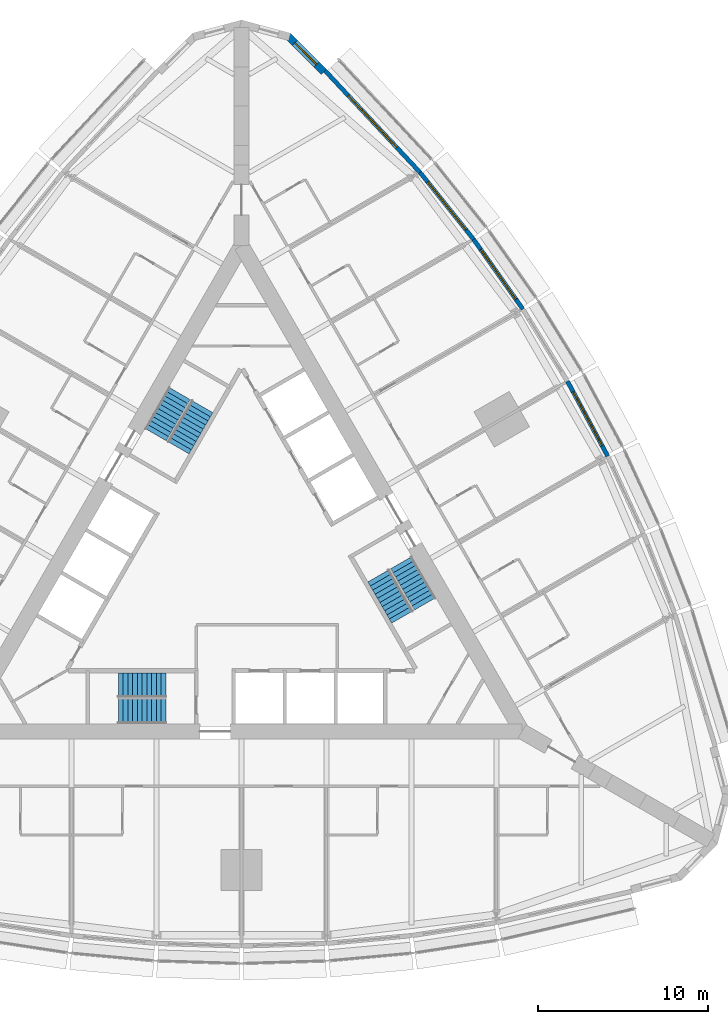
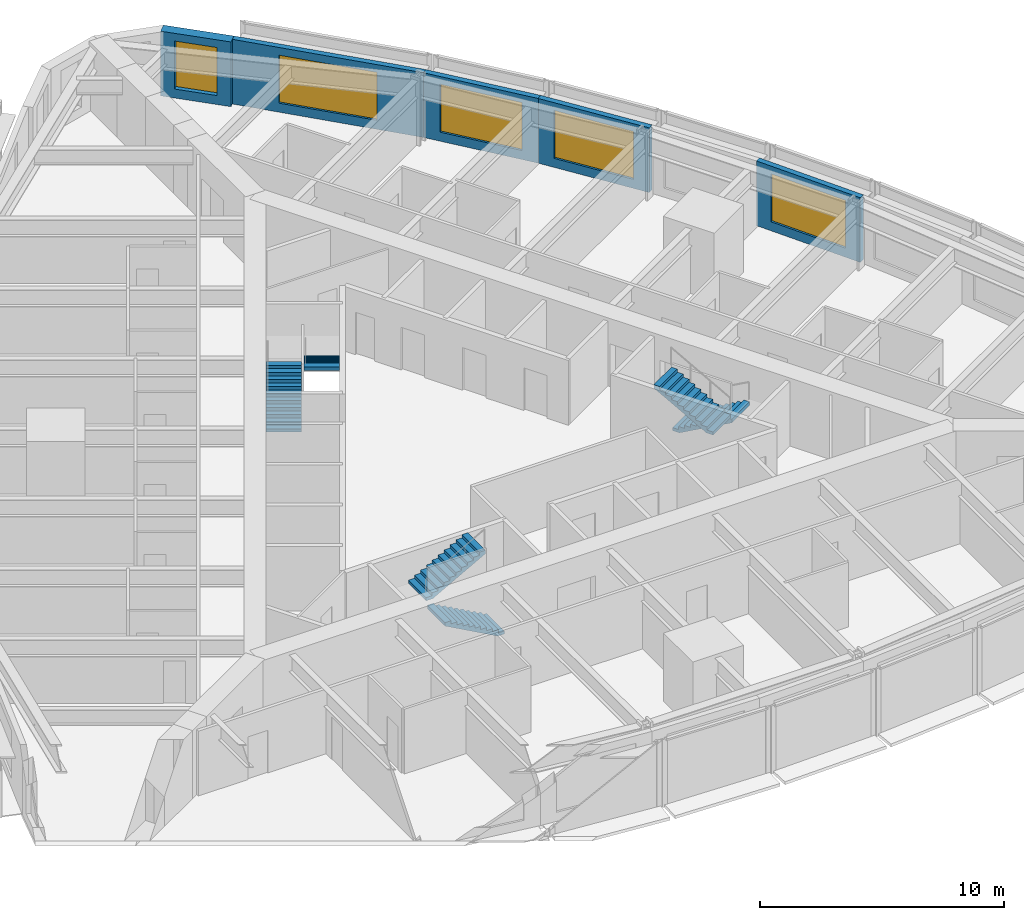
# One storey, part 13 of 14: 6 stair flights, 5 walls, 5 windows, 5 openings, 3 elements without a shape of their own.
"""IFC4 building model written with IfcOpenShell, lengths in metres."""

from ifc_helpers import new_model, si_unit, direction, frame, frame_2d, origin, place, context, subcontext, project, spatial, polyline, rectangle, outline, extrude, material, layer, layer_set, type_object, element, fill, aggregate, save


model = new_model("IFC4")

# Units and contexts
model_context = context("Model", 3, precision=1e-05, world=origin(), true_north=direction((0.0, 1.0)))
body_context = subcontext(model_context, "Body", "Model", "MODEL_VIEW")
ifc_project = project(units=[si_unit("LENGTHUNIT", "METRE"), si_unit("AREAUNIT", "SQUARE_METRE"), si_unit("VOLUMEUNIT", "CUBIC_METRE"), si_unit("PLANEANGLEUNIT", "RADIAN"), si_unit("MASSUNIT", "GRAM", prefix="KILO")], contexts=[model_context])

# Site, building, storey
site_placement = place(None, origin())
site = spatial("IfcSite", under=ifc_project, at=site_placement, CompositionType="ELEMENT")
building_placement = place(site_placement, origin())
building = spatial("IfcBuilding", under=site, at=building_placement, Name="Trikona Tower", CompositionType="ELEMENT")
storey_placement = place(building_placement, frame((0.0, 0.0, 48.89990234375)))
storey = spatial("IfcBuildingStorey", under=building, at=storey_placement, Name="L11", CompositionType="ELEMENT", Elevation=48.89990234375)

# Wall, opening, window
ifc_material_1 = material(Name="Brick-faced precast concrete", Category="masonry")
ifc_layer_1 = layer(ifc_material_1, 0.449951171875)
ifc_layer_set_1 = layer_set([ifc_layer_1], Name="Brick-faced corner wall 450")
wall_type_1 = type_object("IfcWallType", Name="Brick-faced corner wall 450", PredefinedType="SOLIDWALL", material=ifc_layer_set_1)
wall_1_placement = place(storey_placement, frame((4.8408203125, 29.285888671875, 0.0), z_axis=(0.0, 0.0, 1.0), x_axis=(-0.707106781187, 0.707106781187, 0.0)))
wall_1 = element("IfcWall", 1, at=wall_1_placement, inside=storey, type_object=wall_type_1, Name="External wall L11-20", PredefinedType="SOLIDWALL", context=body_context, shape_type="SweptSolid", body=[
    extrude(rectangle(XDim=2.98828125, YDim=0.449951171875, at=frame_2d((1.494140625, 0.0))), origin(), (0.0, 0.0, 1.0), 3.235107421875),
])
opening_1_placement = place(wall_1_placement, frame((0.59423828125, 0.0, 0.449951171875)))
opening_1 = element("IfcOpeningElement", 2, at=opening_1_placement, cuts=wall_1, Name="Opening W1824", PredefinedType="OPENING", context=body_context, shape_type="SweptSolid", body=[
    extrude(rectangle(XDim=1.800048828125, YDim=2.39990234375, at=frame_2d((0.89990234375, 1.199951171875))), frame((0.0, 0.23486328125, 0.0), z_axis=(0.0, -1.0, 0.0), x_axis=(1.0, 0.0, 0.0)), (0.0, 0.0, 1.0), 0.469970703125),
])
ifc_material_2 = material(Name="Aluminium-framed double glazing", Category="aluminium")
window_type_1 = type_object("IfcWindowType", Name="Window 1800x2400", PartitioningType="SINGLE_PANEL", PredefinedType="WINDOW", material=ifc_material_2)
window_1_placement = place(opening_1_placement, origin())
window_1 = element("IfcWindow", 3, at=window_1_placement, inside=storey, type_object=window_type_1, Name="Window 1110", OverallHeight=2.39990234375, OverallWidth=1.800048828125, PartitioningType="SINGLE_PANEL", PredefinedType="WINDOW", context=body_context, shape_type="SweptSolid", body=[
    extrude(rectangle(XDim=1.800048828125, YDim=2.39990234375, at=frame_2d((0.89990234375, 1.199951171875))), frame((0.0, 0.030029296875, 0.0), z_axis=(0.0, -1.0, 0.0), x_axis=(1.0, 0.0, 0.0)), (0.0, 0.0, 1.0), 0.06005859375),
])
fill(opening_1, window_1)

ifc_material_3 = material(Name="Insulated precast concrete spandrel panel", Category="concrete")
ifc_layer_2 = layer(ifc_material_3, 0.25)
ifc_layer_set_2 = layer_set([ifc_layer_2], Name="Inner skin wall 250")
wall_type_2 = type_object("IfcWallType", Name="Inner skin wall 250", PredefinedType="STANDARD", material=ifc_layer_set_2)
wall_2_placement = place(storey_placement, frame((21.546630859375, 6.6708984375, 0.0), z_axis=(0.0, 0.0, 1.0), x_axis=(-0.473412820489, 0.880840678782, 0.0)))
wall_2 = element("IfcWall", 4, at=wall_2_placement, inside=storey, type_object=wall_type_2, Name="External wall L11-15", PredefinedType="STANDARD", context=body_context, shape_type="SweptSolid", body=[
    extrude(rectangle(XDim=5.00244140625, YDim=0.25, at=frame_2d((2.501220703125, 0.0))), origin(), (0.0, 0.0, 1.0), 3.235107421875),
])
opening_2_placement = place(wall_2_placement, frame((0.701171875, 0.0, 0.449951171875)))
opening_2 = element("IfcOpeningElement", 5, at=opening_2_placement, cuts=wall_2, Name="Opening W3624", PredefinedType="OPENING", context=body_context, shape_type="SweptSolid", body=[
    extrude(rectangle(XDim=3.60009765625, YDim=2.39990234375, at=frame_2d((1.800048828125, 1.199951171875))), frame((0.0, 0.135009765625, 0.0), z_axis=(0.0, -1.0, 0.0), x_axis=(1.0, 0.0, 0.0)), (0.0, 0.0, 1.0), 0.27001953125),
])
ifc_material_4 = material(Name="Aluminium-framed double glazing", Category="aluminium")
window_type_2 = type_object("IfcWindowType", Name="Window 3600x2400", PartitioningType="SINGLE_PANEL", PredefinedType="WINDOW", material=ifc_material_4)
window_2_placement = place(opening_2_placement, origin())
window_2 = element("IfcWindow", 6, at=window_2_placement, inside=storey, type_object=window_type_2, Name="Window 1107", OverallHeight=2.39990234375, OverallWidth=3.60009765625, PartitioningType="SINGLE_PANEL", PredefinedType="WINDOW", context=body_context, shape_type="SweptSolid", body=[
    extrude(rectangle(XDim=3.60009765625, YDim=2.39990234375, at=frame_2d((1.800048828125, 1.199951171875))), frame((0.0, 0.030029296875, 0.0), z_axis=(0.0, -1.0, 0.0), x_axis=(1.0, 0.0, 0.0)), (0.0, 0.0, 1.0), 0.06005859375),
])
fill(opening_2, window_2)

wall_3_placement = place(storey_placement, frame((16.5546875, 15.318115234375, 0.0), z_axis=(0.0, 0.0, 1.0), x_axis=(-0.5766431066, 0.81699616132, 0.0)))
wall_3 = element("IfcWall", 7, at=wall_3_placement, inside=storey, type_object=wall_type_2, Name="External wall L11-17", PredefinedType="STANDARD", context=body_context, shape_type="SweptSolid", body=[
    extrude(rectangle(XDim=5.02099609375, YDim=0.25, at=frame_2d((2.510498046875, 0.0))), origin(), (0.0, 0.0, 1.0), 3.235107421875),
])
opening_3_placement = place(wall_3_placement, frame((0.71044921875, 0.0, 0.449951171875)))
opening_3 = element("IfcOpeningElement", 8, at=opening_3_placement, cuts=wall_3, Name="Opening W3624", PredefinedType="OPENING", context=body_context, shape_type="SweptSolid", body=[
    extrude(rectangle(XDim=3.60009765625, YDim=2.39990234375, at=frame_2d((1.800048828125, 1.199951171875))), frame((0.0, 0.135009765625, 0.0), z_axis=(0.0, -1.0, 0.0), x_axis=(1.0, 0.0, 0.0)), (0.0, 0.0, 1.0), 0.27001953125),
])
window_3_placement = place(opening_3_placement, origin())
window_3 = element("IfcWindow", 9, at=window_3_placement, inside=storey, type_object=window_type_2, Name="Window 1108.1", OverallHeight=2.39990234375, OverallWidth=3.60009765625, PartitioningType="SINGLE_PANEL", PredefinedType="WINDOW", context=body_context, shape_type="SweptSolid", body=[
    extrude(rectangle(XDim=3.60009765625, YDim=2.39990234375, at=frame_2d((1.800048828125, 1.199951171875))), frame((0.0, 0.030029296875, 0.0), z_axis=(0.0, -1.0, 0.0), x_axis=(1.0, 0.0, 0.0)), (0.0, 0.0, 1.0), 0.06005859375),
])
fill(opening_3, window_3)

wall_4_placement = place(storey_placement, frame((13.663818359375, 19.4140625, 0.0), z_axis=(0.0, 0.0, 1.0), x_axis=(-0.624594965756, 0.780948864364, 0.0)))
wall_4 = element("IfcWall", 10, at=wall_4_placement, inside=storey, type_object=wall_type_2, Name="External wall L11-18", PredefinedType="STANDARD", context=body_context, shape_type="SweptSolid", body=[
    extrude(rectangle(XDim=5.0576171875, YDim=0.25, at=frame_2d((2.52880859375, 0.0))), origin(), (0.0, 0.0, 1.0), 3.235107421875),
])
opening_4_placement = place(wall_4_placement, frame((0.728759765625, 0.0, 0.449951171875)))
opening_4 = element("IfcOpeningElement", 11, at=opening_4_placement, cuts=wall_4, Name="Opening W3624", PredefinedType="OPENING", context=body_context, shape_type="SweptSolid", body=[
    extrude(rectangle(XDim=3.60009765625, YDim=2.39990234375, at=frame_2d((1.800048828125, 1.199951171875))), frame((0.0, 0.135009765625, 0.0), z_axis=(0.0, -1.0, 0.0), x_axis=(1.0, 0.0, 0.0)), (0.0, 0.0, 1.0), 0.27001953125),
])
window_4_placement = place(opening_4_placement, origin())
window_4 = element("IfcWindow", 12, at=window_4_placement, inside=storey, type_object=window_type_2, Name="Window 1109", OverallHeight=2.39990234375, OverallWidth=3.60009765625, PartitioningType="SINGLE_PANEL", PredefinedType="WINDOW", context=body_context, shape_type="SweptSolid", body=[
    extrude(rectangle(XDim=3.60009765625, YDim=2.39990234375, at=frame_2d((1.800048828125, 1.199951171875))), frame((0.0, 0.030029296875, 0.0), z_axis=(0.0, -1.0, 0.0), x_axis=(1.0, 0.0, 0.0)), (0.0, 0.0, 1.0), 0.06005859375),
])
fill(opening_4, window_4)

wall_5_placement = place(storey_placement, frame((10.510986328125, 23.356689453125, 0.0), z_axis=(0.0, 0.0, 1.0), x_axis=(-0.682289646561, 0.731081964075, 0.0)))
wall_5 = element("IfcWall", 13, at=wall_5_placement, inside=storey, type_object=wall_type_2, Name="External wall L11-19", PredefinedType="STANDARD", context=body_context, shape_type="SweptSolid", body=[
    extrude(rectangle(XDim=8.2109375, YDim=0.25, at=frame_2d((4.10546875, 0.0))), origin(), (0.0, 0.0, 1.0), 3.235107421875),
])
opening_5_placement = place(wall_5_placement, frame((2.005615234375, 0.0, 0.449951171875)))
opening_5 = element("IfcOpeningElement", 14, at=opening_5_placement, cuts=wall_5, Name="Opening W4224", PredefinedType="OPENING", context=body_context, shape_type="SweptSolid", body=[
    extrude(rectangle(XDim=4.199951171875, YDim=2.39990234375, at=frame_2d((2.10009765625, 1.199951171875))), frame((0.0, 0.135009765625, 0.0), z_axis=(0.0, -1.0, 0.0), x_axis=(1.0, 0.0, 0.0)), (0.0, 0.0, 1.0), 0.27001953125),
])
ifc_material_5 = material(Name="Aluminium-framed double glazing", Category="aluminium")
window_type_3 = type_object("IfcWindowType", Name="Window 4200x2400", PartitioningType="SINGLE_PANEL", PredefinedType="WINDOW", material=ifc_material_5)
window_5_placement = place(opening_5_placement, origin())
window_5 = element("IfcWindow", 15, at=window_5_placement, inside=storey, type_object=window_type_3, Name="Window 1110", OverallHeight=2.39990234375, OverallWidth=4.199951171875, PartitioningType="SINGLE_PANEL", PredefinedType="WINDOW", context=body_context, shape_type="SweptSolid", body=[
    extrude(rectangle(XDim=4.199951171875, YDim=2.39990234375, at=frame_2d((2.10009765625, 1.199951171875))), frame((0.0, 0.030029296875, 0.0), z_axis=(0.0, -1.0, 0.0), x_axis=(1.0, 0.0, 0.0)), (0.0, 0.0, 1.0), 0.06005859375),
])
fill(opening_5, window_5)

# Stair, stair flights
ifc_material_6 = material(Name="Concrete f'c 5000 psi", Category="concrete")
stair_type = type_object("IfcStairType", Name="Core stair", PredefinedType="HALF_TURN_STAIR", material=ifc_material_6)
stair_1_placement = place(storey_placement, origin())
stair_1 = element("IfcStair", 16, at=stair_1_placement, inside=storey, type_object=stair_type, Name="Stair A L11", PredefinedType="HALF_TURN_STAIR")
ifc_material_7 = material(Name="Concrete f'c 5000 psi", Category="concrete")
stair_flight_type = type_object("IfcStairFlightType", Name="Core stair flight 1450", PredefinedType="STRAIGHT", material=ifc_material_7)
stair_flight_1_placement = place(storey_placement, frame((-4.449951171875, -8.351318359375, 0.0), z_axis=(0.0, 0.0, 1.0), x_axis=(-1.0, 0.0, 0.0)))
stair_flight_1 = element("IfcStairFlight", 17, at=stair_flight_1_placement, type_object=stair_flight_type, Name="ST-A flight 1", NumberOfRisers=11, NumberOfTreads=10, PredefinedType="STRAIGHT", RiserHeight=0.154545, TreadLength=0.28, context=body_context, shape_type="SweptSolid", body=[
    extrude(outline(polyline([(0.0, 0.0), (0.0, 0.154541015625), (0.280029296875, 0.154541015625), (0.280029296875, 0.30908203125), (0.56005859375, 0.30908203125), (0.56005859375, 0.463623046875), (0.840087890625, 0.463623046875), (0.840087890625, 0.6181640625), (1.1201171875, 0.6181640625), (1.1201171875, 0.772705078125), (1.39990234375, 0.772705078125), (1.39990234375, 0.92724609375), (1.679931640625, 0.92724609375), (1.679931640625, 1.081787109375), (1.9599609375, 1.081787109375), (1.9599609375, 1.236328125), (2.239990234375, 1.236328125), (2.239990234375, 1.390869140625), (2.52001953125, 1.390869140625), (2.52001953125, 1.54541015625), (2.800048828125, 1.54541015625), (2.800048828125, 1.699951171875), (2.800048828125, 1.374267578125), (0.310302734375, 0.0), (0.0, 0.0)])), frame((0.0, 0.72509765625, 0.0), z_axis=(0.0, -1.0, 0.0), x_axis=(1.0, 0.0, 0.0)), (0.0, 0.0, 1.0), 1.449951171875),
])
stair_flight_2_placement = place(storey_placement, frame((-7.25, -6.80126953125, 1.7001953125), z_axis=(0.0, 0.0, 1.0), x_axis=(1.0, 0.0, 0.0)))
stair_flight_2 = element("IfcStairFlight", 18, at=stair_flight_2_placement, type_object=stair_flight_type, Name="ST-A flight 2", NumberOfRisers=11, NumberOfTreads=10, PredefinedType="STRAIGHT", RiserHeight=0.154545, TreadLength=0.28, context=body_context, shape_type="SweptSolid", body=[
    extrude(outline(polyline([(0.0, 0.0), (0.0, 0.154541015625), (0.280029296875, 0.154541015625), (0.280029296875, 0.30908203125), (0.56005859375, 0.30908203125), (0.56005859375, 0.463623046875), (0.840087890625, 0.463623046875), (0.840087890625, 0.6181640625), (1.1201171875, 0.6181640625), (1.1201171875, 0.772705078125), (1.39990234375, 0.772705078125), (1.39990234375, 0.92724609375), (1.679931640625, 0.92724609375), (1.679931640625, 1.081787109375), (1.9599609375, 1.081787109375), (1.9599609375, 1.236328125), (2.239990234375, 1.236328125), (2.239990234375, 1.390869140625), (2.52001953125, 1.390869140625), (2.52001953125, 1.54541015625), (2.800048828125, 1.54541015625), (2.800048828125, 1.699951171875), (2.800048828125, 1.374267578125), (0.310302734375, 0.0), (0.0, 0.0)])), frame((0.0, 0.72509765625, 0.0), z_axis=(0.0, -1.0, 0.0), x_axis=(1.0, 0.0, 0.0)), (0.0, 0.0, 1.0), 1.449951171875),
])
aggregate(stair_1, [stair_flight_1, stair_flight_2])

stair_2_placement = place(storey_placement, origin())
stair_2 = element("IfcStair", 19, at=stair_2_placement, inside=storey, type_object=stair_type, Name="Stair B L11", PredefinedType="HALF_TURN_STAIR")
stair_flight_3_placement = place(storey_placement, frame((9.407470703125, 0.408447265625, 0.0), z_axis=(0.0, 0.0, 1.0), x_axis=(0.5, -0.866025403784, 0.0)))
stair_flight_3 = element("IfcStairFlight", 20, at=stair_flight_3_placement, type_object=stair_flight_type, Name="ST-B flight 1", NumberOfRisers=11, NumberOfTreads=10, PredefinedType="STRAIGHT", RiserHeight=0.154545, TreadLength=0.28, context=body_context, shape_type="SweptSolid", body=[
    extrude(outline(polyline([(0.0, 0.0), (0.0, 0.154541015625), (0.280029296875, 0.154541015625), (0.280029296875, 0.30908203125), (0.56005859375, 0.30908203125), (0.56005859375, 0.463623046875), (0.840087890625, 0.463623046875), (0.840087890625, 0.6181640625), (1.1201171875, 0.6181640625), (1.1201171875, 0.772705078125), (1.39990234375, 0.772705078125), (1.39990234375, 0.92724609375), (1.679931640625, 0.92724609375), (1.679931640625, 1.081787109375), (1.9599609375, 1.081787109375), (1.9599609375, 1.236328125), (2.239990234375, 1.236328125), (2.239990234375, 1.390869140625), (2.52001953125, 1.390869140625), (2.52001953125, 1.54541015625), (2.800048828125, 1.54541015625), (2.800048828125, 1.699951171875), (2.800048828125, 1.374267578125), (0.310302734375, 0.0), (0.0, 0.0)])), frame((0.0, 0.72509765625, 0.0), z_axis=(0.0, -1.0, 0.0), x_axis=(1.0, 0.0, 0.0)), (0.0, 0.0, 1.0), 1.449951171875),
])
stair_flight_4_placement = place(storey_placement, frame((9.465087890625, -2.79150390625, 1.7001953125), z_axis=(0.0, 0.0, 1.0), x_axis=(-0.5, 0.866025403784, 0.0)))
stair_flight_4 = element("IfcStairFlight", 21, at=stair_flight_4_placement, type_object=stair_flight_type, Name="ST-B flight 2", NumberOfRisers=11, NumberOfTreads=10, PredefinedType="STRAIGHT", RiserHeight=0.154545, TreadLength=0.28, context=body_context, shape_type="SweptSolid", body=[
    extrude(outline(polyline([(0.0, 0.0), (0.0, 0.154541015625), (0.280029296875, 0.154541015625), (0.280029296875, 0.30908203125), (0.56005859375, 0.30908203125), (0.56005859375, 0.463623046875), (0.840087890625, 0.463623046875), (0.840087890625, 0.6181640625), (1.1201171875, 0.6181640625), (1.1201171875, 0.772705078125), (1.39990234375, 0.772705078125), (1.39990234375, 0.92724609375), (1.679931640625, 0.92724609375), (1.679931640625, 1.081787109375), (1.9599609375, 1.081787109375), (1.9599609375, 1.236328125), (2.239990234375, 1.236328125), (2.239990234375, 1.390869140625), (2.52001953125, 1.390869140625), (2.52001953125, 1.54541015625), (2.800048828125, 1.54541015625), (2.800048828125, 1.699951171875), (2.800048828125, 1.374267578125), (0.310302734375, 0.0), (0.0, 0.0)])), frame((0.0, 0.72509765625, 0.0), z_axis=(0.0, -1.0, 0.0), x_axis=(1.0, 0.0, 0.0)), (0.0, 0.0, 1.0), 1.449951171875),
])
aggregate(stair_2, [stair_flight_3, stair_flight_4])

stair_3_placement = place(storey_placement, origin())
stair_3 = element("IfcStair", 22, at=stair_3_placement, inside=storey, type_object=stair_type, Name="Stair C L11", PredefinedType="HALF_TURN_STAIR")
stair_flight_5_placement = place(storey_placement, frame((-5.057373046875, 7.94287109375, 0.0), z_axis=(0.0, 0.0, 1.0), x_axis=(0.5, 0.866025403784, 0.0)))
stair_flight_5 = element("IfcStairFlight", 23, at=stair_flight_5_placement, type_object=stair_flight_type, Name="ST-C flight 1", NumberOfRisers=11, NumberOfTreads=10, PredefinedType="STRAIGHT", RiserHeight=0.154545, TreadLength=0.28, context=body_context, shape_type="SweptSolid", body=[
    extrude(outline(polyline([(0.0, 0.0), (0.0, 0.154541015625), (0.280029296875, 0.154541015625), (0.280029296875, 0.30908203125), (0.56005859375, 0.30908203125), (0.56005859375, 0.463623046875), (0.840087890625, 0.463623046875), (0.840087890625, 0.6181640625), (1.1201171875, 0.6181640625), (1.1201171875, 0.772705078125), (1.39990234375, 0.772705078125), (1.39990234375, 0.92724609375), (1.679931640625, 0.92724609375), (1.679931640625, 1.081787109375), (1.9599609375, 1.081787109375), (1.9599609375, 1.236328125), (2.239990234375, 1.236328125), (2.239990234375, 1.390869140625), (2.52001953125, 1.390869140625), (2.52001953125, 1.54541015625), (2.800048828125, 1.54541015625), (2.800048828125, 1.699951171875), (2.800048828125, 1.374267578125), (0.310302734375, 0.0), (0.0, 0.0)])), frame((0.0, 0.72509765625, 0.0), z_axis=(0.0, -1.0, 0.0), x_axis=(1.0, 0.0, 0.0)), (0.0, 0.0, 1.0), 1.449951171875),
])
stair_flight_6_placement = place(storey_placement, frame((-2.315185546875, 9.5927734375, 1.7001953125), z_axis=(0.0, 0.0, 1.0), x_axis=(-0.5, -0.866025403784, 0.0)))
stair_flight_6 = element("IfcStairFlight", 24, at=stair_flight_6_placement, type_object=stair_flight_type, Name="ST-C flight 2", NumberOfRisers=11, NumberOfTreads=10, PredefinedType="STRAIGHT", RiserHeight=0.154545, TreadLength=0.28, context=body_context, shape_type="SweptSolid", body=[
    extrude(outline(polyline([(0.0, 0.0), (0.0, 0.154541015625), (0.280029296875, 0.154541015625), (0.280029296875, 0.30908203125), (0.56005859375, 0.30908203125), (0.56005859375, 0.463623046875), (0.840087890625, 0.463623046875), (0.840087890625, 0.6181640625), (1.1201171875, 0.6181640625), (1.1201171875, 0.772705078125), (1.39990234375, 0.772705078125), (1.39990234375, 0.92724609375), (1.679931640625, 0.92724609375), (1.679931640625, 1.081787109375), (1.9599609375, 1.081787109375), (1.9599609375, 1.236328125), (2.239990234375, 1.236328125), (2.239990234375, 1.390869140625), (2.52001953125, 1.390869140625), (2.52001953125, 1.54541015625), (2.800048828125, 1.54541015625), (2.800048828125, 1.699951171875), (2.800048828125, 1.374267578125), (0.310302734375, 0.0), (0.0, 0.0)])), frame((0.0, 0.72509765625, 0.0), z_axis=(0.0, -1.0, 0.0), x_axis=(1.0, 0.0, 0.0)), (0.0, 0.0, 1.0), 1.449951171875),
])
aggregate(stair_3, [stair_flight_5, stair_flight_6])

save(model, "model.ifc")
